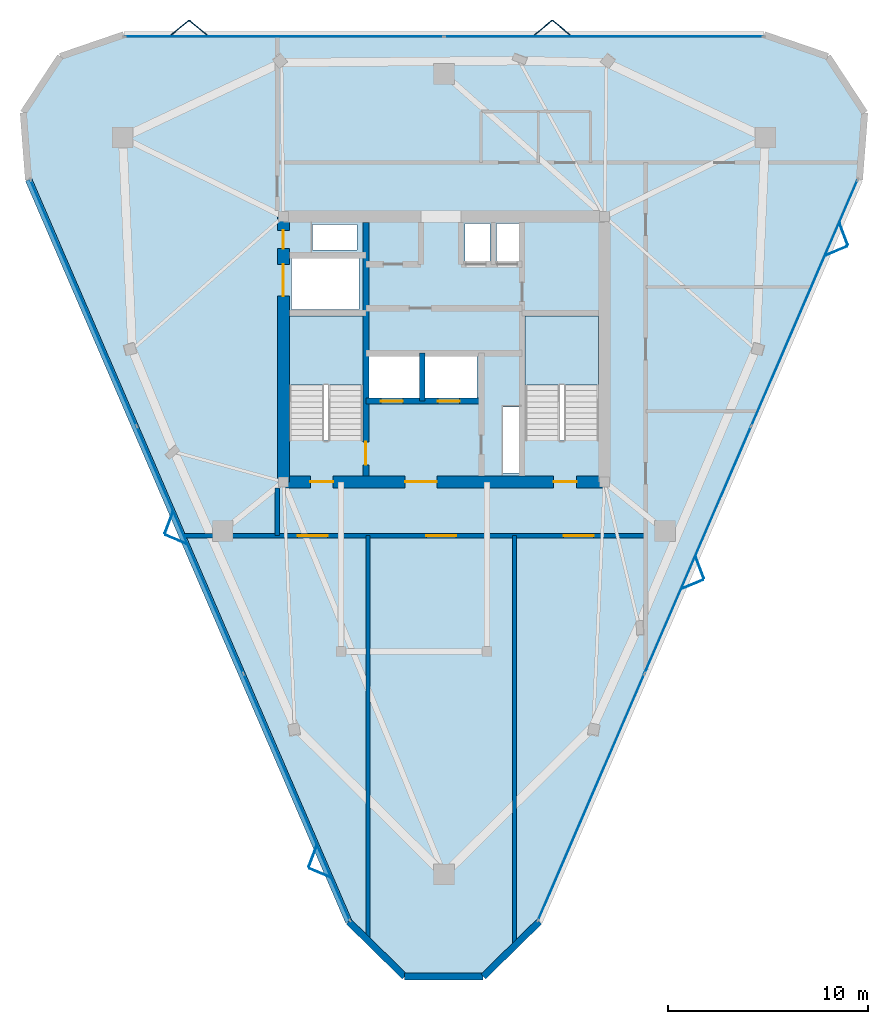
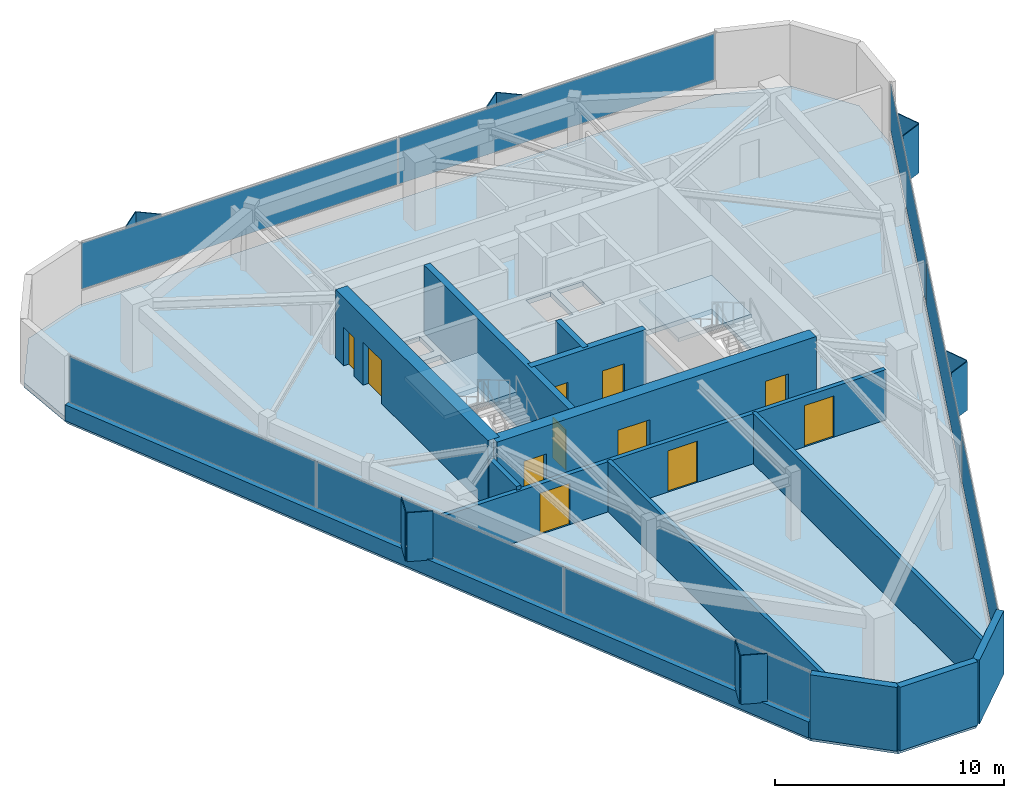
# One storey, part 6 of 9: 20 plates, 13 walls, 11 doors, 3 slabs, 11 openings, 5 elements without a shape of their own.
"""IFC4 building model written with IfcOpenShell, lengths in metres."""

import ifcopenshell
import ifcopenshell.guid

model = None  # the IFC model being written
_history = None  # IfcOwnerHistory: only IFC2X3 demands one
_inside = {}  # id of a spatial element -> (the spatial element, [elements in it])
_under = {}  # id of a project, library or spatial element -> (it, [spatial elements below it])
_declared = {}  # id of a project -> (the project, [libraries it declares])
_typed = {}  # id of a type object -> (the type object, [elements of that type])
_made_of = {}  # id of a material, layer set ... -> (it, [elements and type objects made of it])


def new_model(schema):
    """Start an empty IFC model of exactly this schema.

    Asked for "IFC4X3", IfcOpenShell would pick the latest addendum, in which some entities
    have other attributes; the version numbers below select the first issue.
    IFC2X3 requires an IfcOwnerHistory on every rooted entity: one is made here for all.
    """
    global model, _history
    if schema == "IFC4X3":
        model = ifcopenshell.file(schema_version=(4, 3, 0, 0))
    else:
        model = ifcopenshell.file(schema=schema)
    _inside.clear()
    _under.clear()
    _declared.clear()
    _typed.clear()
    _made_of.clear()
    _history = None
    if model.schema == "IFC2X3":
        org = make("IfcOrganization", Name="unknown")
        user = make(
            "IfcPersonAndOrganization",
            ThePerson=make("IfcPerson", FamilyName="unknown"),
            TheOrganization=org,
        )
        app = make(
            "IfcApplication",
            ApplicationDeveloper=org,
            Version="unknown",
            ApplicationFullName="unknown",
            ApplicationIdentifier="unknown",
        )
        _history = make(
            "IfcOwnerHistory",
            OwningUser=user,
            OwningApplication=app,
            ChangeAction="ADDED",
            CreationDate=0,
        )
    return model


def make(cls, **values):
    """One entity of the class cls with the attributes given. An attribute that is None is left unset."""
    return model.create_entity(
        cls, **{name: value for name, value in values.items() if value is not None}
    )


def rooted(cls, **values):
    """An entity with a GlobalId (a new one), such as an element, a storey or a relation."""
    return make(cls, GlobalId=ifcopenshell.guid.new(), OwnerHistory=_history, **values)


def si_unit(unit_type, name, prefix=None):
    """IfcSIUnit, for example si_unit("LENGTHUNIT", "METRE", prefix="MILLI")."""
    return make("IfcSIUnit", UnitType=unit_type, Prefix=prefix, Name=name)


def assignment(units):
    """IfcUnitAssignment: the units of a project."""
    return None if units is None else make("IfcUnitAssignment", Units=units)


def point(xyz):
    """IfcCartesianPoint."""
    return None if xyz is None else make("IfcCartesianPoint", Coordinates=xyz)


def direction(xyz):
    """IfcDirection."""
    return None if xyz is None else make("IfcDirection", DirectionRatios=xyz)


def frame(location, z_axis=None, x_axis=None):
    """IfcAxis2Placement3D, a coordinate frame: its origin and axes. An axis left out is left unset."""
    return make(
        "IfcAxis2Placement3D",
        Location=point(location),
        Axis=direction(z_axis),
        RefDirection=direction(x_axis),
    )


def frame_2d(location, x_axis=None):
    """IfcAxis2Placement2D, a coordinate frame in the plane: its origin and x axis."""
    return make(
        "IfcAxis2Placement2D", Location=point(location), RefDirection=direction(x_axis)
    )


def origin():
    """The frame at (0, 0, 0) with its axes left unset."""
    return frame((0.0, 0.0, 0.0))


def origin_2d():
    """The frame at (0, 0) in the plane with its x axis left unset."""
    return frame_2d((0.0, 0.0))


def place(relative_to, where):
    """IfcLocalPlacement: puts the frame where relative to a parent placement (None: the world)."""
    return make(
        "IfcLocalPlacement", PlacementRelTo=relative_to, RelativePlacement=where
    )


def context(
    kind, dimensions, precision=None, world=None, true_north=None, identifier=None
):
    """IfcGeometricRepresentationContext, for example the 3D "Model" context."""
    return make(
        "IfcGeometricRepresentationContext",
        ContextIdentifier=identifier,
        ContextType=kind,
        CoordinateSpaceDimension=dimensions,
        Precision=precision,
        WorldCoordinateSystem=world,
        TrueNorth=true_north,
    )


def subcontext(parent, identifier, kind, view, scale=None):
    """IfcGeometricRepresentationSubContext, for example "Body" below "Model"."""
    return make(
        "IfcGeometricRepresentationSubContext",
        ContextIdentifier=identifier,
        ContextType=kind,
        ParentContext=parent,
        TargetScale=scale,
        TargetView=view,
    )


def project(units=None, contexts=None):
    """IfcProject with its units and contexts."""
    return rooted(
        "IfcProject",
        Name="project",
        RepresentationContexts=contexts,
        UnitsInContext=assignment(units),
    )


def spatial(cls, under=None, at=None, **own):
    """A site, building, storey or space (cls), placed at a placement, below another one or the project."""
    s = rooted(cls, ObjectPlacement=at, **own)
    if under is not None:
        _under.setdefault(under.id(), (under, []))[1].append(s)
    return s


def polyline(points):
    """IfcPolyline through the points."""
    return make("IfcPolyline", Points=[point(p) for p in points])


def profile(cls, at=None, kind="AREA", **sizes):
    """A parametric profile (cls). Its sizes go by their IFC names, for example OverallWidth=200.0."""
    return make(cls, ProfileType=kind, Position=at, **sizes)


def rectangle(**sizes):
    """IfcRectangleProfileDef."""
    return profile("IfcRectangleProfileDef", **sizes)


def outline(outer, holes=None, kind="AREA"):
    """IfcArbitraryClosedProfileDef: a profile drawn as a closed curve; with holes, ...WithVoids."""
    if holes is None:
        return make("IfcArbitraryClosedProfileDef", ProfileType=kind, OuterCurve=outer)
    return make(
        "IfcArbitraryProfileDefWithVoids",
        ProfileType=kind,
        OuterCurve=outer,
        InnerCurves=holes,
    )


def extrude(swept, where, along, depth):
    """IfcExtrudedAreaSolid: the profile swept, set in the frame where, extruded along a direction by depth."""
    return make(
        "IfcExtrudedAreaSolid",
        SweptArea=swept,
        Position=where,
        ExtrudedDirection=direction(along),
        Depth=depth,
    )


def shape(context_of_items, identifier, shape_type, items):
    """IfcShapeRepresentation: the items that make up one representation, for example the "Body"."""
    return make(
        "IfcShapeRepresentation",
        ContextOfItems=context_of_items,
        RepresentationIdentifier=identifier,
        RepresentationType=shape_type,
        Items=items,
    )


def material(Name=None, Category=None):
    """IfcMaterial."""
    return make("IfcMaterial", Name=Name, Category=Category)


def layer(
    of_material, thickness, ventilated=None, Name=None, Category=None, Priority=None
):
    """IfcMaterialLayer: one layer of a wall or slab, of a material (None: an air gap)."""
    return make(
        "IfcMaterialLayer",
        Material=of_material,
        LayerThickness=thickness,
        IsVentilated=ventilated,
        Name=Name,
        Category=Category,
        Priority=Priority,
    )


def layer_set(layers, Name=None):
    """IfcMaterialLayerSet."""
    return make("IfcMaterialLayerSet", MaterialLayers=layers, LayerSetName=Name)


def made_of(thing, what):
    """Note that an element or type object is made of a material, layer set ...; save() writes the relation."""
    if what is not None:
        _made_of.setdefault(what.id(), (what, []))[1].append(thing)
    return thing


def type_object(cls, material=None, **own):
    """A type object (cls), such as IfcWallType, which elements share."""
    return made_of(rooted(cls, **own), material)


def element(
    cls,
    number,
    at=None,
    inside=None,
    cuts=None,
    type_object=None,
    material=None,
    context=None,
    identifier="Body",
    shape_type=None,
    held_by="IfcProductDefinitionShape",
    body=None,
    shapes=None,
    **own,
):
    """One element of the class cls, such as IfcWall. Its Tag is "e" and its number.

    at: its placement. inside: the storey or other place that contains it. cuts: it is an
    opening in that element (IfcRelVoidsElement). A single representation is given by context,
    identifier, shape_type and body (its items); several are given by shapes. held_by: the class
    of the entity that holds the representations. save() writes the other relations.
    """
    e = rooted(cls, Tag="e%d" % number, ObjectPlacement=at, **own)
    if body is not None:
        shapes = [shape(context, identifier, shape_type, body)]
    if shapes is not None:
        e.Representation = make(held_by, Representations=shapes)
    if inside is not None:
        _inside.setdefault(inside.id(), (inside, []))[1].append(e)
    if cuts is not None:
        rooted(
            "IfcRelVoidsElement", RelatingBuildingElement=cuts, RelatedOpeningElement=e
        )
    if type_object is not None:
        _typed.setdefault(type_object.id(), (type_object, []))[1].append(e)
    return made_of(e, material)


def fill(opening, filler):
    """IfcRelFillsElement: the door or window that sits in an opening."""
    return rooted(
        "IfcRelFillsElement",
        RelatingOpeningElement=opening,
        RelatedBuildingElement=filler,
    )


def aggregate(whole, parts):
    """IfcRelAggregates: a whole, such as a stair, and the parts it consists of."""
    return rooted("IfcRelAggregates", RelatingObject=whole, RelatedObjects=parts)


def save(model, path):
    """Write the relations noted so far, then the file.

    IfcRelAggregates (storeys below a building ...), IfcRelContainedInSpatialStructure (elements
    in a storey), IfcRelDefinesByType, IfcRelAssociatesMaterial and IfcRelDeclares: one each for
    every whole, place, type object, material and project.
    """
    for whole, parts in _under.values():
        aggregate(whole, parts)
    for where, things in _inside.values():
        rooted(
            "IfcRelContainedInSpatialStructure",
            RelatedElements=things,
            RelatingStructure=where,
        )
    for kind, things in _typed.values():
        rooted("IfcRelDefinesByType", RelatedObjects=things, RelatingType=kind)
    for what, things in _made_of.values():
        rooted("IfcRelAssociatesMaterial", RelatedObjects=things, RelatingMaterial=what)
    for by, libraries in _declared.values():
        rooted("IfcRelDeclares", RelatingContext=by, RelatedDefinitions=libraries)
    model.write(path)


model = new_model("IFC4")

# Units and contexts
model_context = context("Model", 3, precision=1e-05, world=origin(), true_north=direction((0.0, 1.0)))
body_context = subcontext(model_context, "Body", "Model", "MODEL_VIEW")
ifc_project = project(units=[si_unit("LENGTHUNIT", "METRE"), si_unit("AREAUNIT", "SQUARE_METRE"), si_unit("VOLUMEUNIT", "CUBIC_METRE"), si_unit("PLANEANGLEUNIT", "RADIAN"), si_unit("MASSUNIT", "GRAM", prefix="KILO")], contexts=[model_context])

# Site, building, storey
site_placement = place(None, origin())
site = spatial("IfcSite", under=ifc_project, at=site_placement, CompositionType="ELEMENT")
building_placement = place(site_placement, origin())
building = spatial("IfcBuilding", under=site, at=building_placement, Name="Talyreon Biosciences Tower", CompositionType="ELEMENT")
storey_placement = place(building_placement, frame((0.0, 0.0, 298.39990234375)))
storey = spatial("IfcBuildingStorey", under=building, at=storey_placement, Name="L79", CompositionType="ELEMENT", Elevation=298.39990234375)

# Curtain wall, plates
ifc_material_1 = material(Name="Thermally broken aluminium and low-E glazing", Category="aluminium")
ifc_layer_1 = layer(ifc_material_1, 0.175048828125)
ifc_layer_set_1 = layer_set([ifc_layer_1], Name="Thermally broken aluminium and low-E glazing")
curtain_wall_type = type_object("IfcCurtainWallType", Name="CurtainWall_Zone5CompLab", PredefinedType="NOTDEFINED", material=ifc_layer_set_1)
curtain_wall_1_placement = place(storey_placement, origin())
curtain_wall_1 = element("IfcCurtainWall", 1, at=curtain_wall_1_placement, inside=storey, type_object=curtain_wall_type, Name="L79 Unitised Curtain Wall FCW-L79-00", PredefinedType="NOTDEFINED")
ifc_material_2 = material(Name="Triple-silver low-E insulated glazing", Category="glass")
ifc_layer_2 = layer(ifc_material_2, 0.031982421875)
ifc_layer_set_2 = layer_set([ifc_layer_2], Name="Triple-silver low-E insulated glazing")
plate_type_1 = type_object("IfcPlateType", Name="CWGlazingPanel_32", PredefinedType="CURTAIN_PANEL", material=ifc_layer_set_2)
plate_1_placement = place(storey_placement, frame((58.61865234375, 45.55126953125, 0.875), z_axis=(0.0, 0.0, 1.0), x_axis=(-0.396146507437, 0.918187314575, 0.0)))
plate_1 = element("IfcPlate", 2, at=plate_1_placement, type_object=plate_type_1, Name="CW6 panel 1.1", PredefinedType="CURTAIN_PANEL", context=body_context, shape_type="SweptSolid", body=[
    extrude(rectangle(XDim=13.401123046875, YDim=0.031982421875, at=origin_2d()), origin(), (0.0, 0.0, 1.0), 2.4599609375),
])
plate_2_placement = place(storey_placement, frame((53.27783203125, 57.9306640625, 0.875), z_axis=(0.0, 0.0, 1.0), x_axis=(-0.396146507437, 0.918187314575, 0.0)))
plate_2 = element("IfcPlate", 3, at=plate_2_placement, type_object=plate_type_1, Name="CW6 panel 2.1", PredefinedType="CURTAIN_PANEL", context=body_context, shape_type="SweptSolid", body=[
    extrude(rectangle(XDim=13.43359375, YDim=0.031982421875, at=origin_2d()), origin(), (0.0, 0.0, 1.0), 2.4599609375),
])
plate_3_placement = place(storey_placement, frame((47.936767578125, 70.31005859375, 0.875), z_axis=(0.0, 0.0, 1.0), x_axis=(-0.396146507437, 0.918187314575, 0.0)))
plate_3 = element("IfcPlate", 4, at=plate_3_placement, type_object=plate_type_1, Name="CW6 panel 3.1", PredefinedType="CURTAIN_PANEL", context=body_context, shape_type="SweptSolid", body=[
    extrude(rectangle(XDim=13.401123046875, YDim=0.031982421875, at=origin_2d()), origin(), (0.0, 0.0, 1.0), 2.4599609375),
])
aggregate(curtain_wall_1, [plate_1, plate_2, plate_3])

curtain_wall_2_placement = place(storey_placement, origin())
curtain_wall_2 = element("IfcCurtainWall", 5, at=curtain_wall_2_placement, inside=storey, type_object=curtain_wall_type, Name="L79 Unitised Curtain Wall FCW-L79-04", PredefinedType="NOTDEFINED")
plate_4_placement = place(storey_placement, frame((57.9951171875, 83.67041015625, 0.875), z_axis=(0.0, 0.0, 1.0), x_axis=(1.0, 0.0, 0.0)))
plate_4 = element("IfcPlate", 6, at=plate_4_placement, type_object=plate_type_1, Name="CW6 panel 1.1", PredefinedType="CURTAIN_PANEL", context=body_context, shape_type="SweptSolid", body=[
    extrude(rectangle(XDim=15.94482421875, YDim=0.031982421875, at=origin_2d()), origin(), (0.0, 0.0, 1.0), 2.4599609375),
])
plate_5_placement = place(storey_placement, frame((74.0048828125, 83.67041015625, 0.875), z_axis=(0.0, 0.0, 1.0), x_axis=(1.0, 0.0, 0.0)))
plate_5 = element("IfcPlate", 7, at=plate_5_placement, type_object=plate_type_1, Name="CW6 panel 2.1", PredefinedType="CURTAIN_PANEL", context=body_context, shape_type="SweptSolid", body=[
    extrude(rectangle(XDim=15.94482421875, YDim=0.031982421875, at=origin_2d()), origin(), (0.0, 0.0, 1.0), 2.4599609375),
])
aggregate(curtain_wall_2, [plate_4, plate_5])

curtain_wall_3_placement = place(storey_placement, origin())
curtain_wall_3 = element("IfcCurtainWall", 8, at=curtain_wall_3_placement, inside=storey, type_object=curtain_wall_type, Name="L79 Unitised Curtain Wall FCW-L79-08", PredefinedType="NOTDEFINED")
plate_6_placement = place(storey_placement, frame((84.063232421875, 70.31005859375, 0.875), z_axis=(0.0, 0.0, 1.0), x_axis=(-0.396146507437, -0.918187314575, 0.0)))
plate_6 = element("IfcPlate", 9, at=plate_6_placement, type_object=plate_type_1, Name="CW6 panel 1.1", PredefinedType="CURTAIN_PANEL", context=body_context, shape_type="SweptSolid", body=[
    extrude(rectangle(XDim=13.401123046875, YDim=0.031982421875, at=origin_2d()), origin(), (0.0, 0.0, 1.0), 2.4599609375),
])
plate_7_placement = place(storey_placement, frame((78.72216796875, 57.9306640625, 0.875), z_axis=(0.0, 0.0, 1.0), x_axis=(-0.396146507437, -0.918187314575, 0.0)))
plate_7 = element("IfcPlate", 10, at=plate_7_placement, type_object=plate_type_1, Name="CW6 panel 2.1", PredefinedType="CURTAIN_PANEL", context=body_context, shape_type="SweptSolid", body=[
    extrude(rectangle(XDim=13.43359375, YDim=0.031982421875, at=origin_2d()), origin(), (0.0, 0.0, 1.0), 2.4599609375),
])
plate_8_placement = place(storey_placement, frame((73.38134765625, 45.55126953125, 0.875), z_axis=(0.0, 0.0, 1.0), x_axis=(-0.396146507437, -0.918187314575, 0.0)))
plate_8 = element("IfcPlate", 11, at=plate_8_placement, type_object=plate_type_1, Name="CW6 panel 3.1", PredefinedType="CURTAIN_PANEL", context=body_context, shape_type="SweptSolid", body=[
    extrude(rectangle(XDim=13.401123046875, YDim=0.031982421875, at=origin_2d()), origin(), (0.0, 0.0, 1.0), 2.4599609375),
])
aggregate(curtain_wall_3, [plate_6, plate_7, plate_8])

# Slab
ifc_material_3 = material(Name="Concrete C40/50", Category="concrete")
ifc_layer_3 = layer(ifc_material_3, 0.25)
ifc_layer_set_3 = layer_set([ifc_layer_3], Name="Concrete C40/50")
slab_type_1 = type_object("IfcSlabType", Name="DryLabFloorSlab_250", PredefinedType="FLOOR", material=ifc_layer_set_3)
slab_1_placement = place(storey_placement, frame((0.0, 0.0, -0.25)))
element("IfcSlab", 12, at=slab_1_placement, inside=storey, type_object=slab_type_1, Name="L79 Structural Floor Slab", PredefinedType="FLOOR", context=body_context, shape_type="SweptSolid", body=[
    extrude(outline(polyline([(61.225341796875, 39.3076171875), (45.18310546875, 76.490478515625), (44.922119140625, 79.84716796875), (46.772216796875, 82.660400390625), (49.957763671875, 83.750244140625), (82.042236328125, 83.750244140625), (85.227783203125, 82.660400390625), (87.077880859375, 79.84716796875), (86.81689453125, 76.490478515625), (70.774658203125, 39.3076171875), (67.966552734375, 36.5537109375), (64.033447265625, 36.5537109375), (61.225341796875, 39.3076171875)]), holes=[polyline([(69.820068359375, 65.10009765625), (69.820068359375, 61.800048828125), (68.9599609375, 61.800048828125), (68.9599609375, 65.10009765625), (69.820068359375, 65.10009765625)]), polyline([(61.929931640625, 69.64990234375), (61.929931640625, 63.407958984375), (58.25, 63.407958984375), (58.25, 69.64990234375), (61.929931640625, 69.64990234375)]), polyline([(73.75, 69.64990234375), (73.75, 63.407958984375), (70.070068359375, 63.407958984375), (70.070068359375, 69.64990234375), (73.75, 69.64990234375)]), polyline([(64.800048828125, 67.64990234375), (64.800048828125, 65.550048828125), (62.199951171875, 65.550048828125), (62.199951171875, 67.64990234375), (64.800048828125, 67.64990234375)]), polyline([(67.64990234375, 67.64990234375), (67.64990234375, 65.550048828125), (65.050048828125, 65.550048828125), (65.050048828125, 67.64990234375), (67.64990234375, 67.64990234375)]), polyline([(61.75, 72.550048828125), (61.75, 69.97998046875), (58.35009765625, 69.97998046875), (58.35009765625, 72.550048828125), (61.75, 72.550048828125)]), polyline([(68.300048828125, 74.300048828125), (68.300048828125, 72.35009765625), (67.050048828125, 72.35009765625), (67.050048828125, 74.300048828125), (68.300048828125, 74.300048828125)]), polyline([(69.919921875, 72.35009765625), (68.6201171875, 72.35009765625), (68.6201171875, 74.300048828125), (69.919921875, 74.300048828125), (69.919921875, 72.35009765625)]), polyline([(61.64990234375, 72.9599609375), (59.39990234375, 72.9599609375), (59.39990234375, 74.25), (61.64990234375, 74.25), (61.64990234375, 72.9599609375)])]), origin(), (0.0, 0.0, 1.0), 0.25),
])

# Plates
ifc_material_4 = material(Name="Ivory GFRC sunshade panel", Category="concrete")
ifc_layer_4 = layer(ifc_material_4, 0.044921875)
ifc_layer_set_4 = layer_set([ifc_layer_4], Name="Ivory GFRC sunshade panel")
plate_type_2 = type_object("IfcPlateType", Name="FoldedVSunshade_NorthFace_SUNSHADE", PredefinedType="USERDEFINED", material=ifc_layer_set_4)
for number, where, z_axis, x_axis, name in (
    (13, (52.777587890625, 84.1103515625, 0.7900390625), (0.0, 0.0, 1.0), (0.771624583388, 0.636078220278, 0.0), "L79 Folded V-Sunshade Panel 04.01L"),
    (14, (53.677734375, 84.1103515625, 0.7900390625), (0.0, 0.0, 1.0), (0.771624583388, -0.636078220278, 0.0), "L79 Folded V-Sunshade Panel 04.01R"),
    (15, (70.977783203125, 84.1103515625, 0.7900390625), (0.0, 0.0, 1.0), (0.771624583388, 0.636078220278, 0.0), "L79 Folded V-Sunshade Panel 04.02L"),
    (16, (71.877685546875, 84.1103515625, 0.7900390625), (0.0, 0.0, 1.0), (0.771624583388, -0.636078220278, 0.0), "L79 Folded V-Sunshade Panel 04.02R"),
):
    element("IfcPlate", number, at=place(storey_placement, frame(where, z_axis=z_axis, x_axis=x_axis)), inside=storey, type_object=plate_type_2, Name=name, ObjectType="SUNSHADE", PredefinedType="USERDEFINED", context=body_context, shape_type="SweptSolid", body=[
        extrude(rectangle(XDim=1.14990234375, YDim=0.044921875, at=origin_2d()), origin(), (0.0, 0.0, 1.0), 2.610107421875),
    ])
ifc_layer_5 = layer(ifc_material_4, 0.044921875)
ifc_layer_set_5 = layer_set([ifc_layer_5], Name="Ivory GFRC sunshade panel")
plate_type_3 = type_object("IfcPlateType", Name="FoldedVSunshade_SunFace_SUNSHADE", PredefinedType="USERDEFINED", material=ifc_layer_set_5)
for number, where, z_axis, x_axis, name in (
    (17, (59.777587890625, 41.75439453125, 0.7900390625), (0.0, 0.0, 1.0), (-0.922787104328, 0.385310212796, 0.0), "L79 Folded V-Sunshade Panel 00.01L"),
    (18, (59.421142578125, 42.58056640625, 0.7900390625), (0.0, 0.0, 1.0), (0.352870686721, 0.935672099858, 0.0), "L79 Folded V-Sunshade Panel 00.01R"),
    (19, (52.56787109375, 58.46533203125, 0.7900390625), (0.0, 0.0, 1.0), (-0.922787104328, 0.385310212796, 0.0), "L79 Folded V-Sunshade Panel 00.02L"),
    (20, (52.211181640625, 59.291748046875, 0.7900390625), (0.0, 0.0, 1.0), (0.352870686721, 0.935672099858, 0.0), "L79 Folded V-Sunshade Panel 00.02R"),
    (21, (86.0302734375, 73.758544921875, 0.7900390625), (0.0, 0.0, 1.0), (0.352870686721, -0.935672099858, 0.0), "L79 Folded V-Sunshade Panel 08.01L"),
    (22, (85.673828125, 72.93212890625, 0.7900390625), (0.0, 0.0, 1.0), (-0.922787104328, -0.385310212796, 0.0), "L79 Folded V-Sunshade Panel 08.01R"),
    (23, (78.8203125, 57.047607421875, 0.7900390625), (0.0, 0.0, 1.0), (0.352870686721, -0.935672099858, 0.0), "L79 Folded V-Sunshade Panel 08.02L"),
    (24, (78.4638671875, 56.22119140625, 0.7900390625), (0.0, 0.0, 1.0), (-0.922787104328, -0.385310212796, 0.0), "L79 Folded V-Sunshade Panel 08.02R"),
):
    element("IfcPlate", number, at=place(storey_placement, frame(where, z_axis=z_axis, x_axis=x_axis)), inside=storey, type_object=plate_type_3, Name=name, ObjectType="SUNSHADE", PredefinedType="USERDEFINED", context=body_context, shape_type="SweptSolid", body=[
        extrude(rectangle(XDim=1.14990234375, YDim=0.044921875, at=origin_2d()), origin(), (0.0, 0.0, 1.0), 2.610107421875),
    ])

# Stair, slab
stair_type = type_object("IfcStairType", Name="DoglegEscapeStair_3650", PredefinedType="HALF_TURN_STAIR", material=ifc_material_3)
stair_1_placement = place(storey_placement, origin())
stair_1 = element("IfcStair", 25, at=stair_1_placement, inside=storey, type_object=stair_type, Name="L79 Core Escape Stair 1", PredefinedType="HALF_TURN_STAIR")
ifc_layer_6 = layer(ifc_material_3, 0.199951171875)
ifc_layer_set_6 = layer_set([ifc_layer_6], Name="Concrete C40/50")
slab_type_2 = type_object("IfcSlabType", Name="StairLandingSlab_200", PredefinedType="LANDING", material=ifc_layer_set_6)
slab_2_placement = place(storey_placement, frame((0.0, 0.0, 1.625)))
slab_2 = element("IfcSlab", 26, at=slab_2_placement, type_object=slab_type_2, Name="ST-1 landing 1", PredefinedType="LANDING", context=body_context, shape_type="SweptSolid", body=[
    extrude(outline(polyline([(61.929931640625, 66.199951171875), (61.929931640625, 69.64990234375), (58.25, 69.64990234375), (58.25, 66.199951171875), (61.929931640625, 66.199951171875)])), origin(), (0.0, 0.0, 1.0), 0.2001953125),
])
aggregate(stair_1, [slab_2])

stair_2_placement = place(storey_placement, origin())
stair_2 = element("IfcStair", 27, at=stair_2_placement, inside=storey, type_object=stair_type, Name="L79 Core Escape Stair 2", PredefinedType="HALF_TURN_STAIR")
slab_3_placement = place(storey_placement, frame((0.0, 0.0, 1.625)))
slab_3 = element("IfcSlab", 28, at=slab_3_placement, type_object=slab_type_2, Name="ST-2 landing 1", PredefinedType="LANDING", context=body_context, shape_type="SweptSolid", body=[
    extrude(outline(polyline([(73.75, 66.199951171875), (73.75, 69.64990234375), (70.070068359375, 69.64990234375), (70.070068359375, 66.199951171875), (73.75, 66.199951171875)])), origin(), (0.0, 0.0, 1.0), 0.2001953125),
])
aggregate(stair_2, [slab_3])

# Walls
ifc_material_5 = material(Name="Gypsum fireboard acoustic stud", Category="gypsum")
ifc_layer_7 = layer(ifc_material_5, 0.199951171875)
ifc_layer_set_7 = layer_set([ifc_layer_7], Name="Gypsum fireboard acoustic stud")
wall_type_1 = type_object("IfcWallType", Name="ChemControlPartition_200", PredefinedType="PARTITIONING", material=ifc_layer_set_7)
wall_1_placement = place(storey_placement, frame((62.199951171875, 38.470947265625, 0.0), z_axis=(0.0, 0.0, 1.0), x_axis=(0.0, 1.0, 0.0)))
element("IfcWall", 29, at=wall_1_placement, inside=storey, type_object=wall_type_1, Name="L79 Interior Wall IW-L79-SDIV1", PredefinedType="PARTITIONING", context=body_context, shape_type="SweptSolid", body=[
    extrude(rectangle(XDim=20.178955078125, YDim=0.199951171875, at=frame_2d((10.08935546875, 0.0))), origin(), (0.0, 0.0, 1.0), 2.68017578125),
])
wall_2_placement = place(storey_placement, frame((69.52392578125, 38.2001953125, 0.0), z_axis=(0.0, 0.0, 1.0), x_axis=(0.0, 1.0, 0.0)))
element("IfcWall", 30, at=wall_2_placement, inside=storey, type_object=wall_type_1, Name="L79 Interior Wall IW-L79-SDIV2", PredefinedType="PARTITIONING", context=body_context, shape_type="SweptSolid", body=[
    extrude(rectangle(XDim=20.44970703125, YDim=0.199951171875, at=frame_2d((10.224853515625, 0.0))), origin(), (0.0, 0.0, 1.0), 2.68017578125),
])
ifc_material_6 = material(Name="Concrete C50/60", Category="concrete")
ifc_layer_8 = layer(ifc_material_6, 0.280029296875)
ifc_layer_set_8 = layer_set([ifc_layer_8], Name="Concrete C50/60")
wall_type_2 = type_object("IfcWallType", Name="CoreShearWall_280", PredefinedType="SHEAR", material=ifc_layer_set_8)
wall_3_placement = place(storey_placement, frame((64.919921875, 65.39990234375, 0.0), z_axis=(0.0, 0.0, 1.0), x_axis=(0.0, 1.0, 0.0)))
element("IfcWall", 31, at=wall_3_placement, inside=storey, type_object=wall_type_2, Name="L79 Core Shaft Wall SWSHD1", PredefinedType="SHEAR", context=body_context, shape_type="SweptSolid", body=[
    extrude(rectangle(XDim=2.400146484375, YDim=0.280029296875, at=frame_2d((1.2001953125, 0.0))), origin(), (0.0, 0.0, 1.0), 3.650146484375),
])

# Wall, opening, door
ifc_layer_9 = layer(ifc_material_6, 0.320068359375)
ifc_layer_set_9 = layer_set([ifc_layer_9], Name="Concrete C50/60")
wall_type_3 = type_object("IfcWallType", Name="CoreShearWall_320", PredefinedType="SHEAR", material=ifc_layer_set_9)
wall_4_placement = place(storey_placement, frame((62.090087890625, 61.64990234375, 0.0), z_axis=(0.0, 0.0, 1.0), x_axis=(0.0, 1.0, 0.0)))
wall_4 = element("IfcWall", 32, at=wall_4_placement, inside=storey, type_object=wall_type_3, Name="L79 Core Shaft Wall SW1E", PredefinedType="SHEAR", context=body_context, shape_type="SweptSolid", body=[
    extrude(rectangle(XDim=12.7001953125, YDim=0.320068359375, at=frame_2d((6.35009765625, 0.0))), origin(), (0.0, 0.0, 1.0), 3.650146484375),
])
opening_1_placement = place(wall_4_placement, frame((0.550048828125, 0.0, 0.0)))
opening_1 = element("IfcOpeningElement", 33, at=opening_1_placement, cuts=wall_4, Name="Opening DR-L79-FF-ST1", PredefinedType="OPENING", context=body_context, shape_type="SweptSolid", body=[
    extrude(rectangle(XDim=1.14990234375, YDim=2.14990234375, at=frame_2d((0.574951171875, 1.074951171875))), frame((0.0, 0.169921875, 0.0), z_axis=(0.0, -1.0, 0.0), x_axis=(1.0, 0.0, 0.0)), (0.0, 0.0, 1.0), 0.340087890625),
])
ifc_material_7 = material(Name="Painted steel fire door", Category="steel")
door_type_1 = type_object("IfcDoorType", Name="StairShaftFireDoor_1150x2150", OperationType="NOTDEFINED", PredefinedType="DOOR", material=ifc_material_7)
door_1_placement = place(opening_1_placement, origin())
door_1 = element("IfcDoor", 34, at=door_1_placement, inside=storey, type_object=door_type_1, Name="L79 Core Door DR-L79-FF-ST1", OperationType="SINGLE_SWING_LEFT", OverallHeight=2.14990234375, OverallWidth=1.14990234375, PredefinedType="DOOR", context=body_context, shape_type="SweptSolid", body=[
    extrude(rectangle(XDim=1.14990234375, YDim=2.14990234375, at=frame_2d((0.574951171875, 1.074951171875))), frame((0.0, 0.02490234375, 0.0), z_axis=(0.0, -1.0, 0.0), x_axis=(1.0, 0.0, 0.0)), (0.0, 0.0, 1.0), 0.050048828125),
])
fill(opening_1, door_1)

# Wall, openings, doors
wall_5_placement = place(storey_placement, frame((62.090087890625, 65.39990234375, 0.0), z_axis=(0.0, 0.0, 1.0), x_axis=(1.0, 0.0, 0.0)))
wall_5 = element("IfcWall", 35, at=wall_5_placement, inside=storey, type_object=wall_type_3, Name="L79 Core Shaft Wall SWFFN", PredefinedType="SHEAR", context=body_context, shape_type="SweptSolid", body=[
    extrude(rectangle(XDim=5.789794921875, YDim=0.320068359375, at=frame_2d((2.89501953125, 0.0))), origin(), (0.0, 0.0, 1.0), 3.650146484375),
])
opening_2_placement = place(wall_5_placement, frame((0.75, 0.0, 0.0)))
opening_2 = element("IfcOpeningElement", 36, at=opening_2_placement, cuts=wall_5, Name="Opening LD-L79-FL1", PredefinedType="OPENING", context=body_context, shape_type="SweptSolid", body=[
    extrude(rectangle(XDim=1.10009765625, YDim=2.199951171875, at=frame_2d((0.550048828125, 1.10009765625))), frame((0.0, 0.169921875, 0.0), z_axis=(0.0, -1.0, 0.0), x_axis=(1.0, 0.0, 0.0)), (0.0, 0.0, 1.0), 0.340087890625),
])
opening_3_placement = place(wall_5_placement, frame((3.60009765625, 0.0, 0.0)))
opening_3 = element("IfcOpeningElement", 37, at=opening_3_placement, cuts=wall_5, Name="Opening LD-L79-FL2", PredefinedType="OPENING", context=body_context, shape_type="SweptSolid", body=[
    extrude(rectangle(XDim=1.10009765625, YDim=2.199951171875, at=frame_2d((0.550048828125, 1.10009765625))), frame((0.0, 0.169921875, 0.0), z_axis=(0.0, -1.0, 0.0), x_axis=(1.0, 0.0, 0.0)), (0.0, 0.0, 1.0), 0.340087890625),
])
ifc_material_8 = material(Name="Brushed stainless-steel lift landing door", Category="steel")
door_type_2 = type_object("IfcDoorType", Name="LiftSlidingLandingDoor_1100x2200", OperationType="SLIDING_TO_LEFT", PredefinedType="DOOR", material=ifc_material_8)
door_2_placement = place(opening_2_placement, origin())
door_2 = element("IfcDoor", 38, at=door_2_placement, inside=storey, type_object=door_type_2, Name="L79 Core Door LD-L79-FL1", OperationType="SLIDING_TO_LEFT", OverallHeight=2.199951171875, OverallWidth=1.10009765625, PredefinedType="DOOR", context=body_context, shape_type="SweptSolid", body=[
    extrude(rectangle(XDim=1.10009765625, YDim=2.199951171875, at=frame_2d((0.550048828125, 1.10009765625))), frame((0.0, 0.02490234375, 0.0), z_axis=(0.0, -1.0, 0.0), x_axis=(1.0, 0.0, 0.0)), (0.0, 0.0, 1.0), 0.050048828125),
])
fill(opening_2, door_2)
door_3_placement = place(opening_3_placement, origin())
door_3 = element("IfcDoor", 39, at=door_3_placement, inside=storey, type_object=door_type_2, Name="L79 Core Door LD-L79-FL2", OperationType="SLIDING_TO_LEFT", OverallHeight=2.199951171875, OverallWidth=1.10009765625, PredefinedType="DOOR", context=body_context, shape_type="SweptSolid", body=[
    extrude(rectangle(XDim=1.10009765625, YDim=2.199951171875, at=frame_2d((0.550048828125, 1.10009765625))), frame((0.0, 0.02490234375, 0.0), z_axis=(0.0, -1.0, 0.0), x_axis=(1.0, 0.0, 0.0)), (0.0, 0.0, 1.0), 0.050048828125),
])
fill(opening_3, door_3)

ifc_layer_10 = layer(ifc_material_6, 0.60009765625)
ifc_layer_set_10 = layer_set([ifc_layer_10], Name="Concrete C50/60")
wall_type_4 = type_object("IfcWallType", Name="CoreShearWall_600", PredefinedType="SHEAR", material=ifc_layer_set_10)
wall_6_placement = place(storey_placement, frame((57.949951171875, 61.35009765625, 0.0), z_axis=(0.0, 0.0, 1.0), x_axis=(1.0, 0.0, 0.0)))
wall_6 = element("IfcWall", 40, at=wall_6_placement, inside=storey, type_object=wall_type_4, Name="L79 Core Shear Wall S", PredefinedType="SHEAR", context=body_context, shape_type="SweptSolid", body=[
    extrude(rectangle(XDim=16.10009765625, YDim=0.60009765625, at=frame_2d((8.050048828125, 0.0))), origin(), (0.0, 0.0, 1.0), 3.650146484375),
])
opening_4_placement = place(wall_6_placement, frame((1.35009765625, 0.0, 0.0)))
opening_4 = element("IfcOpeningElement", 41, at=opening_4_placement, cuts=wall_6, Name="Opening DR-L79-ST1", PredefinedType="OPENING", context=body_context, shape_type="SweptSolid", body=[
    extrude(rectangle(XDim=1.14990234375, YDim=2.14990234375, at=frame_2d((0.574951171875, 1.074951171875))), frame((0.0, 0.31005859375, 0.0), z_axis=(0.0, -1.0, 0.0), x_axis=(1.0, 0.0, 0.0)), (0.0, 0.0, 1.0), 0.6201171875),
])
opening_5_placement = place(wall_6_placement, frame((6.10009765625, 0.0, 0.0)))
opening_5 = element("IfcOpeningElement", 42, at=opening_5_placement, cuts=wall_6, Name="Opening DR-L79-FFL", PredefinedType="OPENING", context=body_context, shape_type="SweptSolid", body=[
    extrude(rectangle(XDim=1.60009765625, YDim=2.14990234375, at=frame_2d((0.800048828125, 1.074951171875))), frame((0.0, 0.31005859375, 0.0), z_axis=(0.0, -1.0, 0.0), x_axis=(1.0, 0.0, 0.0)), (0.0, 0.0, 1.0), 0.6201171875),
])
opening_6_placement = place(wall_6_placement, frame((13.550048828125, 0.0, 0.0)))
opening_6 = element("IfcOpeningElement", 43, at=opening_6_placement, cuts=wall_6, Name="Opening DR-L79-ST2", PredefinedType="OPENING", context=body_context, shape_type="SweptSolid", body=[
    extrude(rectangle(XDim=1.14990234375, YDim=2.14990234375, at=frame_2d((0.574951171875, 1.074951171875))), frame((0.0, 0.31005859375, 0.0), z_axis=(0.0, -1.0, 0.0), x_axis=(1.0, 0.0, 0.0)), (0.0, 0.0, 1.0), 0.6201171875),
])
ifc_material_9 = material(Name="Painted steel smoke-seal fire door", Category="steel")
door_type_3 = type_object("IfcDoorType", Name="FirefightingLobbyDoubleDoor_1600x2150", OperationType="DOUBLE_DOOR_SINGLE_SWING", PredefinedType="DOOR", material=ifc_material_9)
door_4_placement = place(opening_5_placement, origin())
door_4 = element("IfcDoor", 44, at=door_4_placement, inside=storey, type_object=door_type_3, Name="L79 Core Door DR-L79-FFL", OperationType="DOUBLE_DOOR_SINGLE_SWING", OverallHeight=2.14990234375, OverallWidth=1.60009765625, PredefinedType="DOOR", context=body_context, shape_type="SweptSolid", body=[
    extrude(rectangle(XDim=1.60009765625, YDim=2.14990234375, at=frame_2d((0.800048828125, 1.074951171875))), frame((0.0, 0.02490234375, 0.0), z_axis=(0.0, -1.0, 0.0), x_axis=(1.0, 0.0, 0.0)), (0.0, 0.0, 1.0), 0.050048828125),
])
fill(opening_5, door_4)
door_5_placement = place(opening_4_placement, origin())
door_5 = element("IfcDoor", 45, at=door_5_placement, inside=storey, type_object=door_type_1, Name="L79 Core Door DR-L79-ST1", OperationType="SINGLE_SWING_LEFT", OverallHeight=2.14990234375, OverallWidth=1.14990234375, PredefinedType="DOOR", context=body_context, shape_type="SweptSolid", body=[
    extrude(rectangle(XDim=1.14990234375, YDim=2.14990234375, at=frame_2d((0.574951171875, 1.074951171875))), frame((0.0, 0.02490234375, 0.0), z_axis=(0.0, -1.0, 0.0), x_axis=(1.0, 0.0, 0.0)), (0.0, 0.0, 1.0), 0.050048828125),
])
fill(opening_4, door_5)
door_6_placement = place(opening_6_placement, origin())
door_6 = element("IfcDoor", 46, at=door_6_placement, inside=storey, type_object=door_type_1, Name="L79 Core Door DR-L79-ST2", OperationType="SINGLE_SWING_RIGHT", OverallHeight=2.14990234375, OverallWidth=1.14990234375, PredefinedType="DOOR", context=body_context, shape_type="SweptSolid", body=[
    extrude(rectangle(XDim=1.14990234375, YDim=2.14990234375, at=frame_2d((0.574951171875, 1.074951171875))), frame((0.0, 0.02490234375, 0.0), z_axis=(0.0, -1.0, 0.0), x_axis=(1.0, 0.0, 0.0)), (0.0, 0.0, 1.0), 0.050048828125),
])
fill(opening_6, door_6)

wall_7_placement = place(storey_placement, frame((57.949951171875, 74.64990234375, 0.0), z_axis=(0.0, 0.0, 1.0), x_axis=(0.0, -1.0, 0.0)))
wall_7 = element("IfcWall", 47, at=wall_7_placement, inside=storey, type_object=wall_type_4, Name="L79 Core Shear Wall W", PredefinedType="SHEAR", context=body_context, shape_type="SweptSolid", body=[
    extrude(rectangle(XDim=13.2998046875, YDim=0.60009765625, at=frame_2d((6.64990234375, 0.0))), origin(), (0.0, 0.0, 1.0), 3.650146484375),
])
opening_7_placement = place(wall_7_placement, frame((0.699951171875, 0.0, 0.0)))
opening_7 = element("IfcOpeningElement", 48, at=opening_7_placement, cuts=wall_7, Name="Opening DR-L79-RSW", PredefinedType="OPENING", context=body_context, shape_type="SweptSolid", body=[
    extrude(rectangle(XDim=0.919921875, YDim=2.050048828125, at=frame_2d((0.4599609375, 1.02490234375))), frame((0.0, 0.31005859375, 0.0), z_axis=(0.0, -1.0, 0.0), x_axis=(1.0, 0.0, 0.0)), (0.0, 0.0, 1.0), 0.6201171875),
])
opening_8_placement = place(wall_7_placement, frame((2.39990234375, 0.0, 0.0)))
opening_8 = element("IfcOpeningElement", 49, at=opening_8_placement, cuts=wall_7, Name="Opening LD-L79-GL1", PredefinedType="OPENING", context=body_context, shape_type="SweptSolid", body=[
    extrude(rectangle(XDim=1.60009765625, YDim=2.300048828125, at=frame_2d((0.800048828125, 1.14990234375))), frame((0.0, 0.31005859375, 0.0), z_axis=(0.0, -1.0, 0.0), x_axis=(1.0, 0.0, 0.0)), (0.0, 0.0, 1.0), 0.6201171875),
])
ifc_material_10 = material(Name="Heavy-duty stainless-steel goods lift door", Category="steel")
door_type_4 = type_object("IfcDoorType", Name="GoodsLiftSlidingDoor_1600x2300", OperationType="DOUBLE_DOOR_SLIDING", PredefinedType="DOOR", material=ifc_material_10)
door_7_placement = place(opening_8_placement, origin())
door_7 = element("IfcDoor", 50, at=door_7_placement, inside=storey, type_object=door_type_4, Name="L79 Core Door LD-L79-GL1", OperationType="DOUBLE_DOOR_SLIDING", OverallHeight=2.300048828125, OverallWidth=1.60009765625, PredefinedType="DOOR", context=body_context, shape_type="SweptSolid", body=[
    extrude(rectangle(XDim=1.60009765625, YDim=2.300048828125, at=frame_2d((0.800048828125, 1.14990234375))), frame((0.0, 0.02490234375, 0.0), z_axis=(0.0, -1.0, 0.0), x_axis=(1.0, 0.0, 0.0)), (0.0, 0.0, 1.0), 0.050048828125),
])
fill(opening_8, door_7)
ifc_material_11 = material(Name="Painted steel fire-rated riser door", Category="steel")
door_type_5 = type_object("IfcDoorType", Name="RiserPlantAccessDoor_920x2050", OperationType="NOTDEFINED", PredefinedType="DOOR", material=ifc_material_11)
door_8_placement = place(opening_7_placement, origin())
door_8 = element("IfcDoor", 51, at=door_8_placement, inside=storey, type_object=door_type_5, Name="L79 Core Door DR-L79-RSW", OperationType="SINGLE_SWING_LEFT", OverallHeight=2.050048828125, OverallWidth=0.919921875, PredefinedType="DOOR", context=body_context, shape_type="SweptSolid", body=[
    extrude(rectangle(XDim=0.919921875, YDim=2.050048828125, at=frame_2d((0.4599609375, 1.02490234375))), frame((0.0, 0.02490234375, 0.0), z_axis=(0.0, -1.0, 0.0), x_axis=(1.0, 0.0, 0.0)), (0.0, 0.0, 1.0), 0.050048828125),
])
fill(opening_7, door_8)

ifc_layer_11 = layer(ifc_material_5, 0.219970703125)
ifc_layer_set_11 = layer_set([ifc_layer_11], Name="Gypsum fireboard acoustic stud")
wall_type_5 = type_object("IfcWallType", Name="CorridorRatedPartition_220", PredefinedType="PARTITIONING", material=ifc_layer_set_11)
wall_8_placement = place(storey_placement, frame((52.972900390625, 58.64990234375, 0.0), z_axis=(0.0, 0.0, 1.0), x_axis=(1.0, 0.0, 0.0)))
wall_8 = element("IfcWall", 52, at=wall_8_placement, inside=storey, type_object=wall_type_5, Name="L79 Interior Wall IW-L79-COR-S", PredefinedType="PARTITIONING", context=body_context, shape_type="SweptSolid", body=[
    extrude(rectangle(XDim=23.147216796875, YDim=0.219970703125, at=frame_2d((11.57373046875, 0.0))), origin(), (0.0, 0.0, 1.0), 2.68017578125),
])
opening_9_placement = place(wall_8_placement, frame((5.697998046875, 0.0, 0.0)))
opening_9 = element("IfcOpeningElement", 53, at=opening_9_placement, cuts=wall_8, Name="Opening DR-L79-S1A", PredefinedType="OPENING", context=body_context, shape_type="SweptSolid", body=[
    extrude(rectangle(XDim=1.5, YDim=2.199951171875, at=frame_2d((0.75, 1.10009765625))), frame((0.0, 0.119873046875, 0.0), z_axis=(0.0, -1.0, 0.0), x_axis=(1.0, 0.0, 0.0)), (0.0, 0.0, 1.0), 0.239990234375),
])
opening_10_placement = place(wall_8_placement, frame((12.138916015625, 0.0, 0.0)))
opening_10 = element("IfcOpeningElement", 54, at=opening_10_placement, cuts=wall_8, Name="Opening DR-L79-S2A", PredefinedType="OPENING", context=body_context, shape_type="SweptSolid", body=[
    extrude(rectangle(XDim=1.5, YDim=2.199951171875, at=frame_2d((0.75, 1.10009765625))), frame((0.0, 0.119873046875, 0.0), z_axis=(0.0, -1.0, 0.0), x_axis=(1.0, 0.0, 0.0)), (0.0, 0.0, 1.0), 0.239990234375),
])
opening_11_placement = place(wall_8_placement, frame((19.02392578125, 0.0, 0.0)))
opening_11 = element("IfcOpeningElement", 55, at=opening_11_placement, cuts=wall_8, Name="Opening DR-L79-S3A", PredefinedType="OPENING", context=body_context, shape_type="SweptSolid", body=[
    extrude(rectangle(XDim=1.5, YDim=2.199951171875, at=frame_2d((0.75, 1.10009765625))), frame((0.0, 0.119873046875, 0.0), z_axis=(0.0, -1.0, 0.0), x_axis=(1.0, 0.0, 0.0)), (0.0, 0.0, 1.0), 0.239990234375),
])
ifc_material_12 = material(Name="Vision-panel steel laboratory fire door", Category="steel")
door_type_6 = type_object("IfcDoorType", Name="WetLabDoubleLeafDoor_1500x2200", OperationType="DOUBLE_DOOR_SINGLE_SWING", PredefinedType="DOOR", material=ifc_material_12)
door_9_placement = place(opening_9_placement, origin())
door_9 = element("IfcDoor", 56, at=door_9_placement, inside=storey, type_object=door_type_6, Name="L79 Interior Door DR-L79-S1A", OperationType="DOUBLE_DOOR_SINGLE_SWING", OverallHeight=2.199951171875, OverallWidth=1.5, PredefinedType="DOOR", context=body_context, shape_type="SweptSolid", body=[
    extrude(rectangle(XDim=1.5, YDim=2.199951171875, at=frame_2d((0.75, 1.10009765625))), frame((0.0, 0.02490234375, 0.0), z_axis=(0.0, -1.0, 0.0), x_axis=(1.0, 0.0, 0.0)), (0.0, 0.0, 1.0), 0.050048828125),
])
fill(opening_9, door_9)
door_10_placement = place(opening_10_placement, origin())
door_10 = element("IfcDoor", 57, at=door_10_placement, inside=storey, type_object=door_type_6, Name="L79 Interior Door DR-L79-S2A", OperationType="DOUBLE_DOOR_SINGLE_SWING", OverallHeight=2.199951171875, OverallWidth=1.5, PredefinedType="DOOR", context=body_context, shape_type="SweptSolid", body=[
    extrude(rectangle(XDim=1.5, YDim=2.199951171875, at=frame_2d((0.75, 1.10009765625))), frame((0.0, 0.02490234375, 0.0), z_axis=(0.0, -1.0, 0.0), x_axis=(1.0, 0.0, 0.0)), (0.0, 0.0, 1.0), 0.050048828125),
])
fill(opening_10, door_10)
door_11_placement = place(opening_11_placement, origin())
door_11 = element("IfcDoor", 58, at=door_11_placement, inside=storey, type_object=door_type_6, Name="L79 Interior Door DR-L79-S3A", OperationType="DOUBLE_DOOR_SINGLE_SWING", OverallHeight=2.199951171875, OverallWidth=1.5, PredefinedType="DOOR", context=body_context, shape_type="SweptSolid", body=[
    extrude(rectangle(XDim=1.5, YDim=2.199951171875, at=frame_2d((0.75, 1.10009765625))), frame((0.0, 0.02490234375, 0.0), z_axis=(0.0, -1.0, 0.0), x_axis=(1.0, 0.0, 0.0)), (0.0, 0.0, 1.0), 0.050048828125),
])
fill(opening_11, door_11)

# Walls
wall_9_placement = place(storey_placement, frame((57.64990234375, 58.64990234375, 0.0), z_axis=(0.0, 0.0, 1.0), x_axis=(0.0, 1.0, 0.0)))
element("IfcWall", 59, at=wall_9_placement, inside=storey, type_object=wall_type_5, Name="L79 Interior Wall IW-L79-WCAP-S", PredefinedType="PARTITIONING", context=body_context, shape_type="SweptSolid", body=[
    extrude(rectangle(XDim=2.400146484375, YDim=0.219970703125, at=frame_2d((1.2001953125, 0.0))), origin(), (0.0, 0.0, 1.0), 2.880126953125),
])
ifc_material_13 = material(Name="Precast concrete C45/55", Category="concrete")
ifc_layer_12 = layer(ifc_material_13, 0.340087890625)
ifc_layer_set_12 = layer_set([ifc_layer_12], Name="Precast concrete C45/55")
wall_type_6 = type_object("IfcWallType", Name="PrecastConcreteSpandrelWall_340", PredefinedType="STANDARD", material=ifc_layer_set_12)
wall_10_placement = place(storey_placement, frame((61.225341796875, 39.3076171875, 0.0), z_axis=(0.0, 0.0, 1.0), x_axis=(-0.396144631021, 0.918188124141, 0.0)))
element("IfcWall", 60, at=wall_10_placement, inside=storey, type_object=wall_type_6, Name="L79 Expressed Concrete Sill Wall 00", PredefinedType="STANDARD", context=body_context, shape_type="SweptSolid", body=[
    extrude(rectangle(XDim=40.495849609375, YDim=0.340087890625, at=frame_2d((20.248046875, 0.0))), origin(), (0.0, 0.0, 1.0), 0.85009765625),
])
for number, where, z_axis, x_axis, name in (
    (61, (70.774658203125, 39.3076171875, 0.0), (0.0, 0.0, 1.0), (-0.713963311344, -0.700183111803, 0.0), "L79 Rounded-Corner Concrete Pier 09"),
    (62, (67.966552734375, 36.5537109375, 0.0), (0.0, 0.0, 1.0), (-1.0, 0.0, 0.0), "L79 Rounded-Corner Concrete Pier 10"),
    (63, (64.033447265625, 36.5537109375, 0.0), (0.0, 0.0, 1.0), (-0.713963311344, 0.700183111803, 0.0), "L79 Rounded-Corner Concrete Pier 11"),
):
    element("IfcWall", number, at=place(storey_placement, frame(where, z_axis=z_axis, x_axis=x_axis)), inside=storey, type_object=wall_type_6, Name=name, PredefinedType="STANDARD", context=body_context, shape_type="SweptSolid", body=[
        extrude(rectangle(XDim=3.93310546875, YDim=0.340087890625, at=frame_2d((1.966552734375, 0.0))), origin(), (0.0, 0.0, 1.0), 3.400146484375),
    ])

save(model, "model.ifc")
